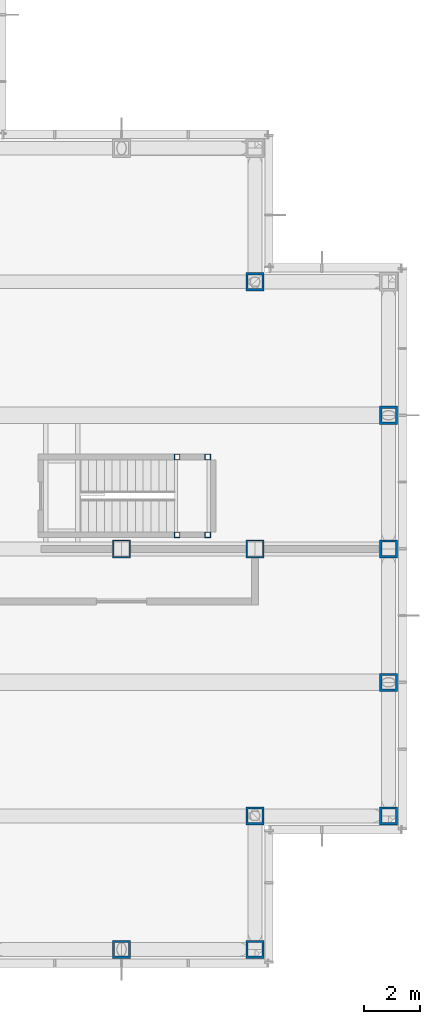
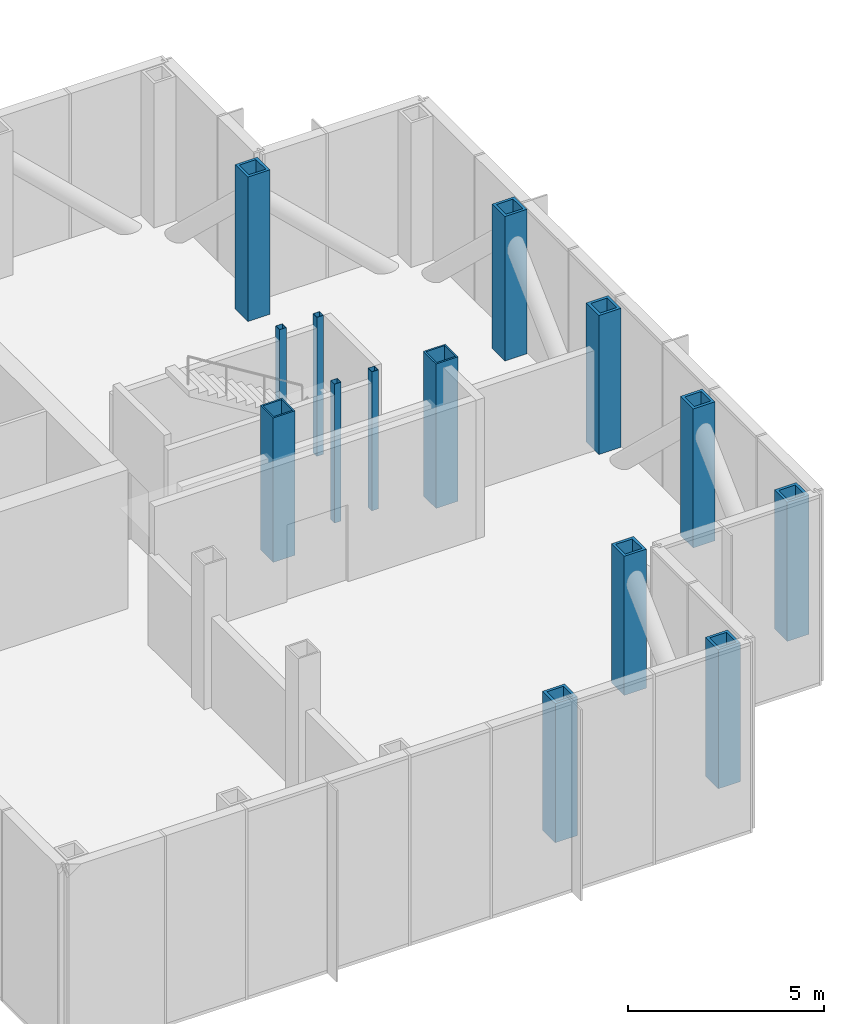
# One storey, part 4 of 17: 14 columns.
"""IFC4 building model written with IfcOpenShell, lengths in metres."""

import ifcopenshell
import ifcopenshell.guid

model = None  # the IFC model being written
_history = None  # IfcOwnerHistory: only IFC2X3 demands one
_inside = {}  # id of a spatial element -> (the spatial element, [elements in it])
_under = {}  # id of a project, library or spatial element -> (it, [spatial elements below it])
_declared = {}  # id of a project -> (the project, [libraries it declares])
_typed = {}  # id of a type object -> (the type object, [elements of that type])
_made_of = {}  # id of a material, layer set ... -> (it, [elements and type objects made of it])


def new_model(schema):
    """Start an empty IFC model of exactly this schema.

    Asked for "IFC4X3", IfcOpenShell would pick the latest addendum, in which some entities
    have other attributes; the version numbers below select the first issue.
    IFC2X3 requires an IfcOwnerHistory on every rooted entity: one is made here for all.
    """
    global model, _history
    if schema == "IFC4X3":
        model = ifcopenshell.file(schema_version=(4, 3, 0, 0))
    else:
        model = ifcopenshell.file(schema=schema)
    _inside.clear()
    _under.clear()
    _declared.clear()
    _typed.clear()
    _made_of.clear()
    _history = None
    if model.schema == "IFC2X3":
        org = make("IfcOrganization", Name="unknown")
        user = make(
            "IfcPersonAndOrganization",
            ThePerson=make("IfcPerson", FamilyName="unknown"),
            TheOrganization=org,
        )
        app = make(
            "IfcApplication",
            ApplicationDeveloper=org,
            Version="unknown",
            ApplicationFullName="unknown",
            ApplicationIdentifier="unknown",
        )
        _history = make(
            "IfcOwnerHistory",
            OwningUser=user,
            OwningApplication=app,
            ChangeAction="ADDED",
            CreationDate=0,
        )
    return model


def make(cls, **values):
    """One entity of the class cls with the attributes given. An attribute that is None is left unset."""
    return model.create_entity(
        cls, **{name: value for name, value in values.items() if value is not None}
    )


def rooted(cls, **values):
    """An entity with a GlobalId (a new one), such as an element, a storey or a relation."""
    return make(cls, GlobalId=ifcopenshell.guid.new(), OwnerHistory=_history, **values)


def si_unit(unit_type, name, prefix=None):
    """IfcSIUnit, for example si_unit("LENGTHUNIT", "METRE", prefix="MILLI")."""
    return make("IfcSIUnit", UnitType=unit_type, Prefix=prefix, Name=name)


def assignment(units):
    """IfcUnitAssignment: the units of a project."""
    return None if units is None else make("IfcUnitAssignment", Units=units)


def point(xyz):
    """IfcCartesianPoint."""
    return None if xyz is None else make("IfcCartesianPoint", Coordinates=xyz)


def direction(xyz):
    """IfcDirection."""
    return None if xyz is None else make("IfcDirection", DirectionRatios=xyz)


def frame(location, z_axis=None, x_axis=None):
    """IfcAxis2Placement3D, a coordinate frame: its origin and axes. An axis left out is left unset."""
    return make(
        "IfcAxis2Placement3D",
        Location=point(location),
        Axis=direction(z_axis),
        RefDirection=direction(x_axis),
    )


def frame_2d(location, x_axis=None):
    """IfcAxis2Placement2D, a coordinate frame in the plane: its origin and x axis."""
    return make(
        "IfcAxis2Placement2D", Location=point(location), RefDirection=direction(x_axis)
    )


def origin():
    """The frame at (0, 0, 0) with its axes left unset."""
    return frame((0.0, 0.0, 0.0))


def origin_2d():
    """The frame at (0, 0) in the plane with its x axis left unset."""
    return frame_2d((0.0, 0.0))


def place(relative_to, where):
    """IfcLocalPlacement: puts the frame where relative to a parent placement (None: the world)."""
    return make(
        "IfcLocalPlacement", PlacementRelTo=relative_to, RelativePlacement=where
    )


def context(
    kind, dimensions, precision=None, world=None, true_north=None, identifier=None
):
    """IfcGeometricRepresentationContext, for example the 3D "Model" context."""
    return make(
        "IfcGeometricRepresentationContext",
        ContextIdentifier=identifier,
        ContextType=kind,
        CoordinateSpaceDimension=dimensions,
        Precision=precision,
        WorldCoordinateSystem=world,
        TrueNorth=true_north,
    )


def subcontext(parent, identifier, kind, view, scale=None):
    """IfcGeometricRepresentationSubContext, for example "Body" below "Model"."""
    return make(
        "IfcGeometricRepresentationSubContext",
        ContextIdentifier=identifier,
        ContextType=kind,
        ParentContext=parent,
        TargetScale=scale,
        TargetView=view,
    )


def project(units=None, contexts=None):
    """IfcProject with its units and contexts."""
    return rooted(
        "IfcProject",
        Name="project",
        RepresentationContexts=contexts,
        UnitsInContext=assignment(units),
    )


def spatial(cls, under=None, at=None, **own):
    """A site, building, storey or space (cls), placed at a placement, below another one or the project."""
    s = rooted(cls, ObjectPlacement=at, **own)
    if under is not None:
        _under.setdefault(under.id(), (under, []))[1].append(s)
    return s


def profile(cls, at=None, kind="AREA", **sizes):
    """A parametric profile (cls). Its sizes go by their IFC names, for example OverallWidth=200.0."""
    return make(cls, ProfileType=kind, Position=at, **sizes)


def hollow_rectangle(**sizes):
    """IfcRectangleHollowProfileDef."""
    return profile("IfcRectangleHollowProfileDef", **sizes)


def extrude(swept, where, along, depth):
    """IfcExtrudedAreaSolid: the profile swept, set in the frame where, extruded along a direction by depth."""
    return make(
        "IfcExtrudedAreaSolid",
        SweptArea=swept,
        Position=where,
        ExtrudedDirection=direction(along),
        Depth=depth,
    )


def shape(context_of_items, identifier, shape_type, items):
    """IfcShapeRepresentation: the items that make up one representation, for example the "Body"."""
    return make(
        "IfcShapeRepresentation",
        ContextOfItems=context_of_items,
        RepresentationIdentifier=identifier,
        RepresentationType=shape_type,
        Items=items,
    )


def material(Name=None, Category=None):
    """IfcMaterial."""
    return make("IfcMaterial", Name=Name, Category=Category)


def material_profile(
    of_material, cross_section, Name=None, Category=None, Priority=None
):
    """IfcMaterialProfile: a cross section and its material."""
    return make(
        "IfcMaterialProfile",
        Name=Name,
        Material=of_material,
        Profile=cross_section,
        Priority=Priority,
        Category=Category,
    )


def profile_set(profiles, Name=None, composite=None):
    """IfcMaterialProfileSet."""
    return make(
        "IfcMaterialProfileSet",
        Name=Name,
        MaterialProfiles=profiles,
        CompositeProfile=composite,
    )


def made_of(thing, what):
    """Note that an element or type object is made of a material, layer set ...; save() writes the relation."""
    if what is not None:
        _made_of.setdefault(what.id(), (what, []))[1].append(thing)
    return thing


def type_object(cls, material=None, **own):
    """A type object (cls), such as IfcWallType, which elements share."""
    return made_of(rooted(cls, **own), material)


def element(
    cls,
    number,
    at=None,
    inside=None,
    cuts=None,
    type_object=None,
    material=None,
    context=None,
    identifier="Body",
    shape_type=None,
    held_by="IfcProductDefinitionShape",
    body=None,
    shapes=None,
    **own,
):
    """One element of the class cls, such as IfcWall. Its Tag is "e" and its number.

    at: its placement. inside: the storey or other place that contains it. cuts: it is an
    opening in that element (IfcRelVoidsElement). A single representation is given by context,
    identifier, shape_type and body (its items); several are given by shapes. held_by: the class
    of the entity that holds the representations. save() writes the other relations.
    """
    e = rooted(cls, Tag="e%d" % number, ObjectPlacement=at, **own)
    if body is not None:
        shapes = [shape(context, identifier, shape_type, body)]
    if shapes is not None:
        e.Representation = make(held_by, Representations=shapes)
    if inside is not None:
        _inside.setdefault(inside.id(), (inside, []))[1].append(e)
    if cuts is not None:
        rooted(
            "IfcRelVoidsElement", RelatingBuildingElement=cuts, RelatedOpeningElement=e
        )
    if type_object is not None:
        _typed.setdefault(type_object.id(), (type_object, []))[1].append(e)
    return made_of(e, material)


def aggregate(whole, parts):
    """IfcRelAggregates: a whole, such as a stair, and the parts it consists of."""
    return rooted("IfcRelAggregates", RelatingObject=whole, RelatedObjects=parts)


def save(model, path):
    """Write the relations noted so far, then the file.

    IfcRelAggregates (storeys below a building ...), IfcRelContainedInSpatialStructure (elements
    in a storey), IfcRelDefinesByType, IfcRelAssociatesMaterial and IfcRelDeclares: one each for
    every whole, place, type object, material and project.
    """
    for whole, parts in _under.values():
        aggregate(whole, parts)
    for where, things in _inside.values():
        rooted(
            "IfcRelContainedInSpatialStructure",
            RelatedElements=things,
            RelatingStructure=where,
        )
    for kind, things in _typed.values():
        rooted("IfcRelDefinesByType", RelatedObjects=things, RelatingType=kind)
    for what, things in _made_of.values():
        rooted("IfcRelAssociatesMaterial", RelatedObjects=things, RelatingMaterial=what)
    for by, libraries in _declared.values():
        rooted("IfcRelDeclares", RelatingContext=by, RelatedDefinitions=libraries)
    model.write(path)


model = new_model("IFC4")

# Units and contexts
model_context = context("Model", 3, precision=1e-05, world=origin(), true_north=direction((0.0, 1.0)))
body_context = subcontext(model_context, "Body", "Model", "MODEL_VIEW")
ifc_project = project(units=[si_unit("LENGTHUNIT", "METRE"), si_unit("AREAUNIT", "SQUARE_METRE"), si_unit("VOLUMEUNIT", "CUBIC_METRE"), si_unit("PLANEANGLEUNIT", "RADIAN"), si_unit("MASSUNIT", "GRAM", prefix="KILO")], contexts=[model_context])

# Site, building, storey
site_placement = place(None, origin())
site = spatial("IfcSite", under=ifc_project, at=site_placement, CompositionType="ELEMENT")
building_placement = place(site_placement, origin())
building = spatial("IfcBuilding", under=site, at=building_placement, Name="Kvirike Care Tower", CompositionType="ELEMENT")
storey_placement = place(building_placement, frame((0.0, 0.0, 136.5)))
storey = spatial("IfcBuildingStorey", under=building, at=storey_placement, Name="L37", CompositionType="ELEMENT", Elevation=136.5)

# Columns
ifc_material_1 = material(Name="Steel S460", Category="steel")
ifc_material_profile_1 = material_profile(ifc_material_1, hollow_rectangle(XDim=0.64990234375, YDim=0.64990234375, WallThickness=0.050048828125, at=origin_2d()), Name="BX 650x650x50")
ifc_profile_set_1 = profile_set([ifc_material_profile_1], Name="Steel S460")
column_type_1 = type_object("IfcColumnType", Name="COLUMN BX 650x650x50", PredefinedType="COLUMN", material=ifc_profile_set_1)
for number, where, z_axis, x_axis, name in (
    (1, (33.60009765625, 28.800048828125, 0.0), (0.0, 0.0, 1.0), (0.0, 1.0, 0.0), "Column G10 L37"),
    (2, (38.39990234375, 28.800048828125, 0.0), (0.0, 0.0, 1.0), (0.0, 1.0, 0.0), "Column G11 L37"),
):
    element("IfcColumn", number, at=place(storey_placement, frame(where, z_axis=z_axis, x_axis=x_axis)), inside=storey, type_object=column_type_1, Name=name, PredefinedType="COLUMN", context=body_context, shape_type="SweptSolid", body=[
        extrude(hollow_rectangle(XDim=0.64990234375, YDim=0.64990234375, WallThickness=0.050048828125, at=origin_2d()), origin(), (0.0, 0.0, 1.0), 4.5),
    ])
ifc_material_2 = material(Name="Steel S460", Category="steel")
ifc_material_profile_2 = material_profile(ifc_material_2, hollow_rectangle(XDim=0.64990234375, YDim=0.64990234375, WallThickness=0.080078125, at=origin_2d()), Name="BX 650x650x80")
ifc_profile_set_2 = profile_set([ifc_material_profile_2], Name="Steel S460")
column_type_2 = type_object("IfcColumnType", Name="COLUMN BX 650x650x80", PredefinedType="COLUMN", material=ifc_profile_set_2)
for number, where, z_axis, x_axis, name in (
    (3, (33.60009765625, 14.39990234375, 0.0), (0.0, 0.0, 1.0), (0.0, 1.0, 0.0), "Column D10 L37"),
    (4, (38.39990234375, 14.39990234375, 0.0), (0.0, 0.0, 1.0), (0.0, 1.0, 0.0), "Column D11 L37"),
    (5, (38.39990234375, 19.199951171875, 0.0), (0.0, 0.0, 1.0), (0.0, 1.0, 0.0), "Column E11 L37"),
):
    element("IfcColumn", number, at=place(storey_placement, frame(where, z_axis=z_axis, x_axis=x_axis)), inside=storey, type_object=column_type_2, Name=name, PredefinedType="COLUMN", context=body_context, shape_type="SweptSolid", body=[
        extrude(hollow_rectangle(XDim=0.64990234375, YDim=0.64990234375, WallThickness=0.080078125, at=origin_2d()), origin(), (0.0, 0.0, 1.0), 4.330078125),
    ])
column_1_placement = place(storey_placement, frame((38.39990234375, 38.39990234375, 0.0), z_axis=(0.0, 0.0, 1.0), x_axis=(0.0, 1.0, 0.0)))
element("IfcColumn", 6, at=column_1_placement, inside=storey, type_object=column_type_2, Name="Column J11 L37", PredefinedType="COLUMN", context=body_context, shape_type="SweptSolid", body=[
    extrude(hollow_rectangle(XDim=0.64990234375, YDim=0.64990234375, WallThickness=0.080078125, at=origin_2d()), origin(), (0.0, 0.0, 1.0), 4.5),
])
for number, where, z_axis, x_axis, name in (
    (7, (43.199951171875, 19.199951171875, 0.0), (0.0, 0.0, 1.0), (0.0, 1.0, 0.0), "Column E12 L37"),
    (8, (43.199951171875, 24.0, 0.0), (0.0, 0.0, 1.0), (1.0, 0.0, 0.0), "Column F12 L37"),
    (9, (43.199951171875, 28.800048828125, 0.0), (0.0, 0.0, 1.0), (0.0, 1.0, 0.0), "Column G12 L37"),
):
    element("IfcColumn", number, at=place(storey_placement, frame(where, z_axis=z_axis, x_axis=x_axis)), inside=storey, type_object=column_type_2, Name=name, PredefinedType="COLUMN", context=body_context, shape_type="SweptSolid", body=[
        extrude(hollow_rectangle(XDim=0.64990234375, YDim=0.64990234375, WallThickness=0.080078125, at=origin_2d()), origin(), (0.0, 0.0, 1.0), 4.330078125),
    ])
column_2_placement = place(storey_placement, frame((43.199951171875, 33.60009765625, 0.0), z_axis=(0.0, 0.0, 1.0), x_axis=(1.0, 0.0, 0.0)))
element("IfcColumn", 10, at=column_2_placement, inside=storey, type_object=column_type_2, Name="Column H12 L37", PredefinedType="COLUMN", context=body_context, shape_type="SweptSolid", body=[
    extrude(hollow_rectangle(XDim=0.64990234375, YDim=0.64990234375, WallThickness=0.080078125, at=origin_2d()), origin(), (0.0, 0.0, 1.0), 4.5),
])
ifc_material_3 = material(Name="Steel S460", Category="steel")
ifc_material_profile_3 = material_profile(ifc_material_3, hollow_rectangle(XDim=0.199951171875, YDim=0.199951171875, WallThickness=0.008056640625, at=origin_2d()), Name="SHS 200x200x8")
ifc_profile_set_3 = profile_set([ifc_material_profile_3], Name="Steel S460")
column_type_3 = type_object("IfcColumnType", Name="STAIR POST SHS 200x200x8", PredefinedType="COLUMN", material=ifc_profile_set_3)
for number, where, z_axis, x_axis, name in (
    (11, (36.699951171875, 29.300048828125, 0.0), (0.0, 0.0, 1.0), (1.0, 0.0, 0.0), "Stair 2 post 1 L37"),
    (12, (36.699951171875, 32.10009765625, 0.0), (0.0, 0.0, 1.0), (1.0, 0.0, 0.0), "Stair 2 post 2 L37"),
    (13, (35.60009765625, 29.300048828125, 0.0), (0.0, 0.0, 1.0), (1.0, 0.0, 0.0), "Stair 2 post 3 L37"),
    (14, (35.60009765625, 32.10009765625, 0.0), (0.0, 0.0, 1.0), (1.0, 0.0, 0.0), "Stair 2 post 4 L37"),
):
    element("IfcColumn", number, at=place(storey_placement, frame(where, z_axis=z_axis, x_axis=x_axis)), inside=storey, type_object=column_type_3, Name=name, PredefinedType="COLUMN", context=body_context, shape_type="SweptSolid", body=[
        extrude(hollow_rectangle(XDim=0.199951171875, YDim=0.199951171875, WallThickness=0.008056640625, at=origin_2d()), origin(), (0.0, 0.0, 1.0), 4.330078125),
    ])

save(model, "model.ifc")
